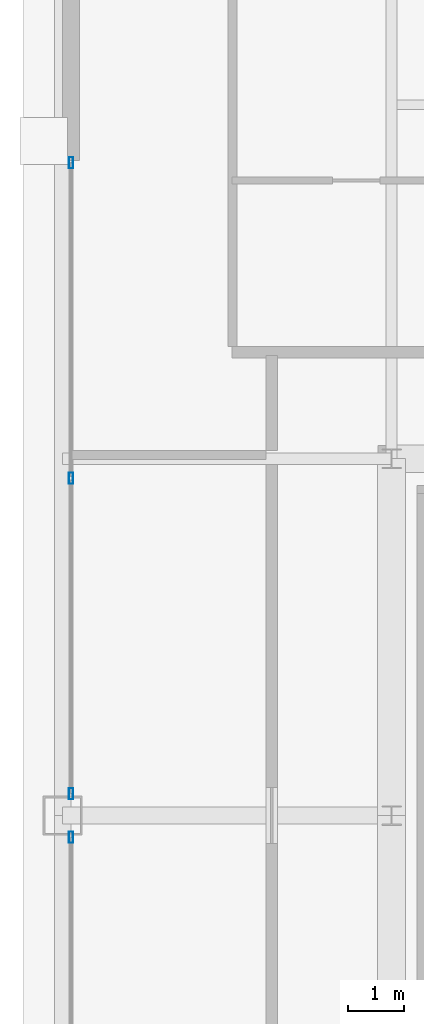
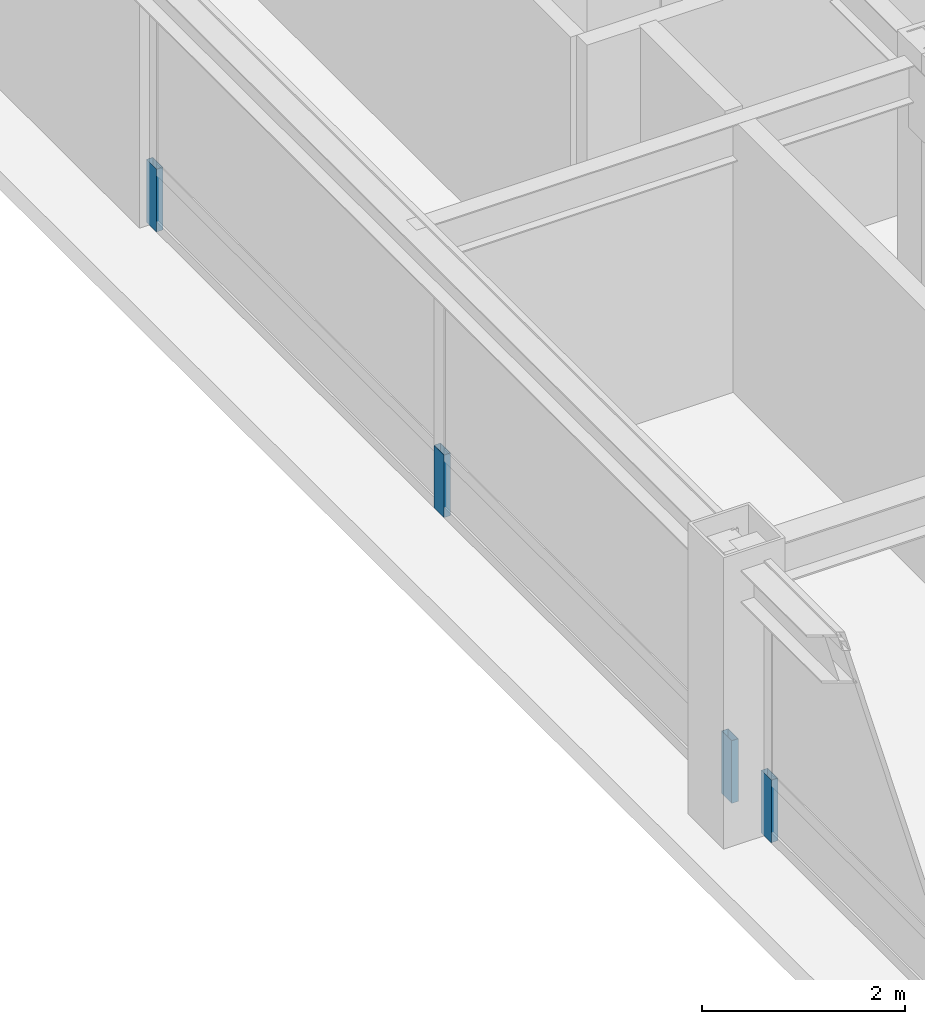
# One storey, part 24 of 35: 4 members, 2 elements without a shape of their own.
"""IFC4 building model written with IfcOpenShell, lengths in metres."""

from ifc_helpers import new_model, si_unit, direction, frame, origin, origin_2d, place, context, subcontext, project, spatial, hollow_rectangle, extrude, source, transform, mapped, material, layer, layer_set, material_profile, profile_set, type_object, element, aggregate, save


model = new_model("IFC4")

# Units and contexts
model_context = context("Model", 3, precision=1e-05, world=origin(), true_north=direction((0.0, 1.0)))
body_context = subcontext(model_context, "Body", "Model", "MODEL_VIEW")
ifc_project = project(units=[si_unit("LENGTHUNIT", "METRE"), si_unit("AREAUNIT", "SQUARE_METRE"), si_unit("VOLUMEUNIT", "CUBIC_METRE"), si_unit("PLANEANGLEUNIT", "RADIAN"), si_unit("MASSUNIT", "GRAM", prefix="KILO"), si_unit("THERMODYNAMICTEMPERATUREUNIT", "KELVIN"), si_unit("POWERUNIT", "WATT")], contexts=[model_context])

# Site, building, storey
site_placement = place(None, origin())
site = spatial("IfcSite", under=ifc_project, at=site_placement, CompositionType="ELEMENT")
building_placement = place(site_placement, origin())
building = spatial("IfcBuilding", under=site, at=building_placement, Name="Yuzanri Waterfront Tower", CompositionType="ELEMENT")
storey_placement = place(building_placement, frame((0.0, 0.0, 289.10009765625)))
storey = spatial("IfcBuildingStorey", under=building, at=storey_placement, Name="L77", CompositionType="ELEMENT", Elevation=289.10009765625)

# Curtain wall, member
ifc_material_1 = material(Name="Anodized Architectural Bronze", Category="metal")
ifc_layer = layer(ifc_material_1, 0.159912109375)
ifc_layer_set = layer_set([ifc_layer], Name="Anodized Architectural Bronze")
curtain_wall_type = type_object("IfcCurtainWallType", Name="Anodized Bronze High-Rise Penthouse High-Wind Unitized Curtain Wall 6900", PredefinedType="NOTDEFINED", material=ifc_layer_set)
curtain_wall_1_placement = place(storey_placement, origin())
curtain_wall_1 = element("IfcCurtainWall", 1, at=curtain_wall_1_placement, inside=storey, type_object=curtain_wall_type, Name="L77 Curtain Wall CW-L77-WL", PredefinedType="NOTDEFINED")
ifc_material_2 = material(Name="Anodized Architectural Bronze", Category="metal")
ifc_material_profile = material_profile(ifc_material_2, hollow_rectangle(XDim=0.074951171875, YDim=0.199951171875, WallThickness=0.00390625, at=origin_2d()), Name="CWM 75x200")
ifc_profile_set = profile_set([ifc_material_profile], Name="Anodized Architectural Bronze")
member_type = type_object("IfcMemberType", Name="Anodized Bronze Primary Curtain-Wall Mullion 75x200", PredefinedType="MULLION", material=ifc_profile_set)
shared_shape = source(origin(), body_context, "Body", "SweptSolid", [
    extrude(hollow_rectangle(XDim=0.074951171875, YDim=0.199951171875, WallThickness=0.00390625, at=origin_2d()), origin(), (0.0, 0.0, 1.0), 0.751953125),
])
member_1_placement = place(storey_placement, frame((18.050048828125, 25.409912109375, 0.0), z_axis=(0.0, 0.0, 1.0), x_axis=(1.0, 0.0, 0.0)))
member_1 = element("IfcMember", 2, at=member_1_placement, type_object=member_type, Name="CW-L77-WL Lower Mullion 02", PredefinedType="MULLION", context=body_context, shape_type="MappedRepresentation", body=[
    mapped(shared_shape, transform((0.0, 0.0, 0.0), scale=1.0)),
])
aggregate(curtain_wall_1, [member_1])

# Curtain wall, members
curtain_wall_2_placement = place(storey_placement, origin())
curtain_wall_2 = element("IfcCurtainWall", 3, at=curtain_wall_2_placement, inside=storey, type_object=curtain_wall_type, Name="L77 Curtain Wall CW-L77-WR", PredefinedType="NOTDEFINED")
member_2_placement = place(storey_placement, frame((18.050048828125, 26.18994140625, 0.0), z_axis=(0.0, 0.0, 1.0), x_axis=(1.0, 0.0, 0.0)))
member_2 = element("IfcMember", 4, at=member_2_placement, type_object=member_type, Name="CW-L77-WR Lower Mullion 00", PredefinedType="MULLION", context=body_context, shape_type="MappedRepresentation", body=[
    mapped(shared_shape, transform((0.0, 0.0, 0.0), scale=1.0)),
])
member_3_placement = place(storey_placement, frame((18.050048828125, 31.85009765625, 0.0), z_axis=(0.0, 0.0, 1.0), x_axis=(1.0, 0.0, 0.0)))
member_3 = element("IfcMember", 5, at=member_3_placement, type_object=member_type, Name="CW-L77-WR Lower Mullion 01", PredefinedType="MULLION", context=body_context, shape_type="MappedRepresentation", body=[
    mapped(shared_shape, transform((0.0, 0.0, 0.0), scale=1.0)),
])
member_4_placement = place(storey_placement, frame((18.050048828125, 37.510009765625, 0.0), z_axis=(0.0, 0.0, 1.0), x_axis=(1.0, 0.0, 0.0)))
member_4 = element("IfcMember", 6, at=member_4_placement, type_object=member_type, Name="CW-L77-WR Lower Mullion 02", PredefinedType="MULLION", context=body_context, shape_type="MappedRepresentation", body=[
    mapped(shared_shape, transform((0.0, 0.0, 0.0), scale=1.0)),
])
aggregate(curtain_wall_2, [member_2, member_3, member_4])

save(model, "model.ifc")
